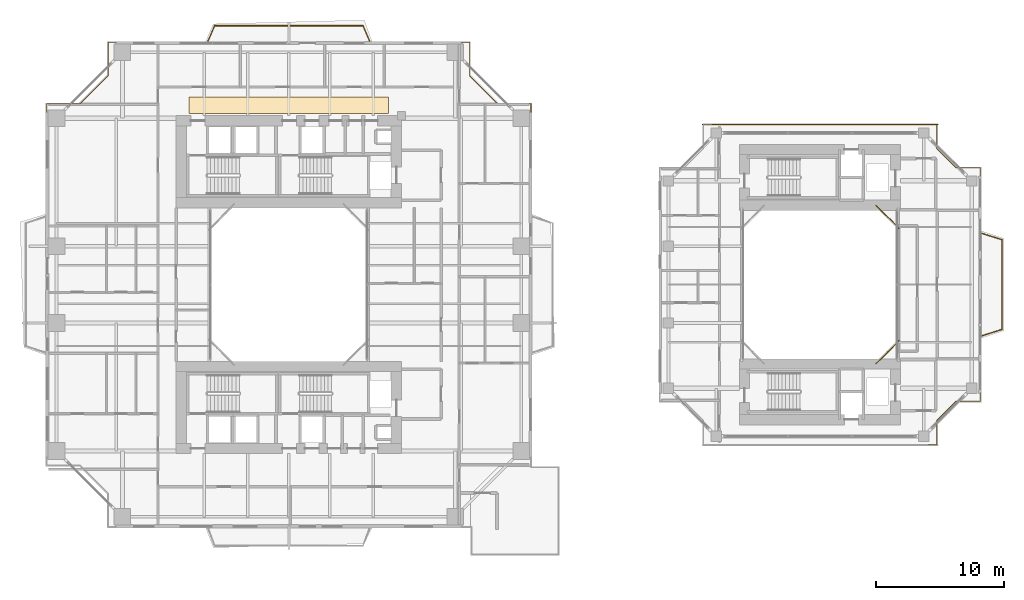
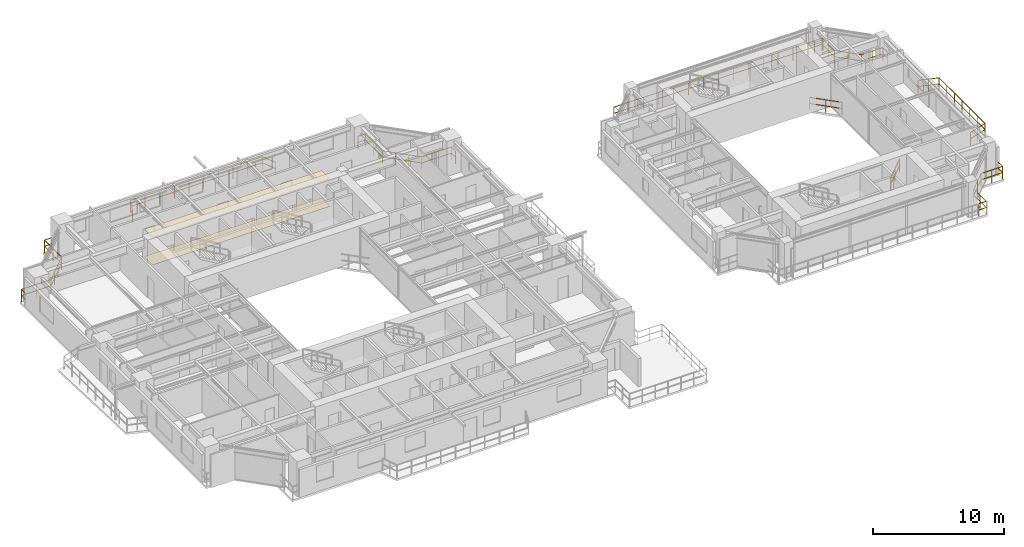
# One storey, part 23 of 23: 9 railings, 2 coverings.
"""IFC4 building model written with IfcOpenShell, lengths in metres."""

from ifc_helpers import new_model, si_unit, direction, frame, origin, origin_2d, place, context, subcontext, project, spatial, polyline, rectangle, outline, extrude, material, layer, layer_set, type_object, element, save


model = new_model("IFC4")

# Units and contexts
model_context = context("Model", 3, precision=1e-05, world=origin(), true_north=direction((0.0, 1.0)))
body_context = subcontext(model_context, "Body", "Model", "MODEL_VIEW")
ifc_project = project(units=[si_unit("LENGTHUNIT", "METRE"), si_unit("AREAUNIT", "SQUARE_METRE"), si_unit("VOLUMEUNIT", "CUBIC_METRE"), si_unit("PLANEANGLEUNIT", "RADIAN"), si_unit("MASSUNIT", "GRAM", prefix="KILO"), si_unit("THERMODYNAMICTEMPERATUREUNIT", "KELVIN"), si_unit("POWERUNIT", "WATT")], contexts=[model_context])

# Site, building, storey
site_placement = place(None, origin())
site = spatial("IfcSite", under=ifc_project, at=site_placement, CompositionType="ELEMENT")
building_placement = place(site_placement, origin())
building = spatial("IfcBuilding", under=site, at=building_placement, Name="Qiaomeng Ring Towers", CompositionType="ELEMENT")
storey_placement = place(building_placement, frame((0.0, 0.0, 73.0)))
storey = spatial("IfcBuildingStorey", under=building, at=storey_placement, Name="L20", CompositionType="ELEMENT", Elevation=73.0)

# Coverings
ifc_material_1 = material(Name="Mineral fibre acoustic ceiling tile", Category="gypsum")
ifc_layer_1 = layer(ifc_material_1, 0.02490234375, Name="Mineral fibre acoustic ceiling tile")
ifc_layer_set_1 = layer_set([ifc_layer_1], Name="Mineral fibre acoustic ceiling tile")
covering_type_1 = type_object("IfcCoveringType", Name="ARC-COV-CEIL1", PredefinedType="CEILING", material=ifc_layer_set_1)
covering_1_placement = place(storey_placement, frame((0.0, 0.0, 2.550048828125)))
element("IfcCovering", 1, at=covering_1_placement, inside=storey, type_object=covering_type_1, Name="L20 Corridor Acoustic Ceiling", PredefinedType="CEILING", context=body_context, shape_type="SweptSolid", body=[
    extrude(outline(polyline([(11.199951171875, 36.35009765625), (11.199951171875, 37.64990234375), (26.800048828125, 37.64990234375), (26.800048828125, 36.35009765625), (11.199951171875, 36.35009765625)])), origin(), (0.0, 0.0, 1.0), 0.02490234375),
])
ifc_material_2 = material(Name="Vitrified porcelain floor tile", Category="ceramic")
ifc_layer_2 = layer(ifc_material_2, 0.02001953125, Name="Vitrified porcelain floor tile")
ifc_layer_set_2 = layer_set([ifc_layer_2], Name="Vitrified porcelain floor tile")
covering_type_2 = type_object("IfcCoveringType", Name="ARC-COV-FLR1", PredefinedType="FLOORING", material=ifc_layer_set_2)
covering_2_placement = place(storey_placement, origin())
element("IfcCovering", 2, at=covering_2_placement, inside=storey, type_object=covering_type_2, Name="L20 Corridor Stone Flooring", PredefinedType="FLOORING", context=body_context, shape_type="SweptSolid", body=[
    extrude(outline(polyline([(11.199951171875, 36.35009765625), (11.199951171875, 37.64990234375), (26.800048828125, 37.64990234375), (26.800048828125, 36.35009765625), (11.199951171875, 36.35009765625)])), origin(), (0.0, 0.0, 1.0), 0.02001953125),
])

# Railings
ifc_material_3 = material(Name="Low-E pale-green laminated safety glass", Category="glass")
railing_type = type_object("IfcRailingType", Name="ARC-RL-BAL1", PredefinedType="BALUSTRADE", material=ifc_material_3)
railing_1_placement = place(storey_placement, frame((37.919921875, 36.469970703125, 0.0)))
element("IfcRailing", 3, at=railing_1_placement, inside=storey, type_object=railing_type, Name="L20 Balustrade ARC-BAL-NOTCH1-L20-NE", PredefinedType="BALUSTRADE", context=body_context, shape_type="SweptSolid", body=[
    extrude(rectangle(XDim=0.048095703125, YDim=0.048095703125, at=origin_2d()), frame((0.0, 0.0, 1.17578125), z_axis=(0.0, 1.0, 0.0), x_axis=(-1.0, 0.0, 0.0)), (0.0, 0.0, 1.0), 0.650146484375),
    extrude(rectangle(XDim=0.048095703125, YDim=0.048095703125, at=origin_2d()), frame((0.0, 0.0, 0.60009765625), z_axis=(0.0, 1.0, 0.0), x_axis=(-1.0, 0.0, 0.0)), (0.0, 0.0, 1.0), 0.650146484375),
    extrude(rectangle(XDim=0.048095703125, YDim=0.048095703125, at=origin_2d()), frame((0.0, 0.650146484375, 1.17578125), z_axis=(-1.0, 0.0, 0.0), x_axis=(0.0, -1.0, 0.0)), (0.0, 0.0, 1.0), 2.599853515625),
    extrude(rectangle(XDim=0.048095703125, YDim=0.048095703125, at=origin_2d()), frame((0.0, 0.650146484375, 0.60009765625), z_axis=(-1.0, 0.0, 0.0), x_axis=(0.0, -1.0, 0.0)), (0.0, 0.0, 1.0), 2.599853515625),
    extrude(rectangle(XDim=0.048095703125, YDim=0.048095703125, at=origin_2d()), frame((-2.599853515625, 0.650146484375, 1.17578125), z_axis=(-0.707106781187, 0.707106781187, 0.0), x_axis=(-0.707106781187, -0.707106781187, 0.0)), (0.0, 0.0, 1.0), 3.111083984375),
    extrude(rectangle(XDim=0.048095703125, YDim=0.048095703125, at=origin_2d()), frame((-2.599853515625, 0.650146484375, 0.60009765625), z_axis=(-0.707106781187, 0.707106781187, 0.0), x_axis=(-0.707106781187, -0.707106781187, 0.0)), (0.0, 0.0, 1.0), 3.111083984375),
    extrude(rectangle(XDim=0.048095703125, YDim=0.048095703125, at=origin_2d()), frame((-4.7998046875, 2.85009765625, 1.17578125), z_axis=(0.0, 1.0, 0.0), x_axis=(-1.0, 0.0, 0.0)), (0.0, 0.0, 1.0), 2.599853515625),
    extrude(rectangle(XDim=0.048095703125, YDim=0.048095703125, at=origin_2d()), frame((-4.7998046875, 2.85009765625, 0.60009765625), z_axis=(0.0, 1.0, 0.0), x_axis=(-1.0, 0.0, 0.0)), (0.0, 0.0, 1.0), 2.599853515625),
    extrude(rectangle(XDim=0.048095703125, YDim=0.048095703125, at=origin_2d()), frame((-4.7998046875, 5.449951171875, 1.17578125), z_axis=(-1.0, 0.0, 0.0), x_axis=(0.0, -1.0, 0.0)), (0.0, 0.0, 1.0), 0.650146484375),
    extrude(rectangle(XDim=0.048095703125, YDim=0.048095703125, at=origin_2d()), frame((-4.7998046875, 5.449951171875, 0.60009765625), z_axis=(-1.0, 0.0, 0.0), x_axis=(0.0, -1.0, 0.0)), (0.0, 0.0, 1.0), 0.650146484375),
    extrude(rectangle(XDim=0.0419921875, YDim=0.0419921875, at=origin_2d()), origin(), (0.0, 0.0, 1.0), 1.15185546875),
    extrude(rectangle(XDim=0.0419921875, YDim=0.0419921875, at=origin_2d()), frame((0.0, 0.650146484375, 0.0)), (0.0, 0.0, 1.0), 1.15185546875),
    extrude(rectangle(XDim=0.0419921875, YDim=0.0419921875, at=origin_2d()), frame((-1.2998046875, 0.650146484375, 0.0)), (0.0, 0.0, 1.0), 1.15185546875),
    extrude(rectangle(XDim=0.0419921875, YDim=0.0419921875, at=origin_2d()), frame((-2.599853515625, 0.650146484375, 0.0)), (0.0, 0.0, 1.0), 1.15185546875),
    extrude(rectangle(XDim=0.0419921875, YDim=0.0419921875, at=origin_2d()), frame((-3.333251953125, 1.383544921875, 0.0)), (0.0, 0.0, 1.0), 1.15185546875),
    extrude(rectangle(XDim=0.0419921875, YDim=0.0419921875, at=origin_2d()), frame((-4.06640625, 2.11669921875, 0.0)), (0.0, 0.0, 1.0), 1.15185546875),
    extrude(rectangle(XDim=0.0419921875, YDim=0.0419921875, at=origin_2d()), frame((-4.7998046875, 2.85009765625, 0.0)), (0.0, 0.0, 1.0), 1.15185546875),
    extrude(rectangle(XDim=0.0419921875, YDim=0.0419921875, at=origin_2d()), frame((-4.7998046875, 4.14990234375, 0.0)), (0.0, 0.0, 1.0), 1.15185546875),
    extrude(rectangle(XDim=0.0419921875, YDim=0.0419921875, at=origin_2d()), frame((-4.7998046875, 5.449951171875, 0.0)), (0.0, 0.0, 1.0), 1.15185546875),
    extrude(rectangle(XDim=0.0419921875, YDim=0.0419921875, at=origin_2d()), frame((-5.449951171875, 5.449951171875, 0.0)), (0.0, 0.0, 1.0), 1.15185546875),
])
railing_2_placement = place(storey_placement, frame((5.530029296875, 41.919921875, 0.0)))
element("IfcRailing", 4, at=railing_2_placement, inside=storey, type_object=railing_type, Name="L20 Balustrade ARC-BAL-NOTCH1-L20-NW", PredefinedType="BALUSTRADE", context=body_context, shape_type="SweptSolid", body=[
    extrude(rectangle(XDim=0.048095703125, YDim=0.048095703125, at=origin_2d()), frame((0.0, 0.0, 1.17578125), z_axis=(-1.0, 0.0, 0.0), x_axis=(0.0, -1.0, 0.0)), (0.0, 0.0, 1.0), 0.650146484375),
    extrude(rectangle(XDim=0.048095703125, YDim=0.048095703125, at=origin_2d()), frame((0.0, 0.0, 0.60009765625), z_axis=(-1.0, 0.0, 0.0), x_axis=(0.0, -1.0, 0.0)), (0.0, 0.0, 1.0), 0.650146484375),
    extrude(rectangle(XDim=0.048095703125, YDim=0.048095703125, at=origin_2d()), frame((-0.650146484375, 0.0, 1.17578125), z_axis=(0.0, -1.0, 0.0), x_axis=(1.0, 0.0, 0.0)), (0.0, 0.0, 1.0), 2.599853515625),
    extrude(rectangle(XDim=0.048095703125, YDim=0.048095703125, at=origin_2d()), frame((-0.650146484375, 0.0, 0.60009765625), z_axis=(0.0, -1.0, 0.0), x_axis=(1.0, 0.0, 0.0)), (0.0, 0.0, 1.0), 2.599853515625),
    extrude(rectangle(XDim=0.048095703125, YDim=0.048095703125, at=origin_2d()), frame((-0.650146484375, -2.599853515625, 1.17578125), z_axis=(-0.707106781187, -0.707106781187, 0.0), x_axis=(0.707106781187, -0.707106781187, 0.0)), (0.0, 0.0, 1.0), 3.111083984375),
    extrude(rectangle(XDim=0.048095703125, YDim=0.048095703125, at=origin_2d()), frame((-0.650146484375, -2.599853515625, 0.60009765625), z_axis=(-0.707106781187, -0.707106781187, 0.0), x_axis=(0.707106781187, -0.707106781187, 0.0)), (0.0, 0.0, 1.0), 3.111083984375),
    extrude(rectangle(XDim=0.048095703125, YDim=0.048095703125, at=origin_2d()), frame((-2.85009765625, -4.7998046875, 1.17578125), z_axis=(-1.0, 0.0, 0.0), x_axis=(0.0, -1.0, 0.0)), (0.0, 0.0, 1.0), 2.599853515625),
    extrude(rectangle(XDim=0.048095703125, YDim=0.048095703125, at=origin_2d()), frame((-2.85009765625, -4.7998046875, 0.60009765625), z_axis=(-1.0, 0.0, 0.0), x_axis=(0.0, -1.0, 0.0)), (0.0, 0.0, 1.0), 2.599853515625),
    extrude(rectangle(XDim=0.048095703125, YDim=0.048095703125, at=origin_2d()), frame((-5.449951171875, -4.7998046875, 1.17578125), z_axis=(0.0, -1.0, 0.0), x_axis=(1.0, 0.0, 0.0)), (0.0, 0.0, 1.0), 0.650146484375),
    extrude(rectangle(XDim=0.048095703125, YDim=0.048095703125, at=origin_2d()), frame((-5.449951171875, -4.7998046875, 0.60009765625), z_axis=(0.0, -1.0, 0.0), x_axis=(1.0, 0.0, 0.0)), (0.0, 0.0, 1.0), 0.650146484375),
    extrude(rectangle(XDim=0.0419921875, YDim=0.0419921875, at=origin_2d()), origin(), (0.0, 0.0, 1.0), 1.15185546875),
    extrude(rectangle(XDim=0.0419921875, YDim=0.0419921875, at=origin_2d()), frame((-0.650146484375, 0.0, 0.0)), (0.0, 0.0, 1.0), 1.15185546875),
    extrude(rectangle(XDim=0.0419921875, YDim=0.0419921875, at=origin_2d()), frame((-0.650146484375, -1.2998046875, 0.0)), (0.0, 0.0, 1.0), 1.15185546875),
    extrude(rectangle(XDim=0.0419921875, YDim=0.0419921875, at=origin_2d()), frame((-0.650146484375, -2.599853515625, 0.0)), (0.0, 0.0, 1.0), 1.15185546875),
    extrude(rectangle(XDim=0.0419921875, YDim=0.0419921875, at=origin_2d()), frame((-1.383544921875, -3.333251953125, 0.0)), (0.0, 0.0, 1.0), 1.15185546875),
    extrude(rectangle(XDim=0.0419921875, YDim=0.0419921875, at=origin_2d()), frame((-2.11669921875, -4.06640625, 0.0)), (0.0, 0.0, 1.0), 1.15185546875),
    extrude(rectangle(XDim=0.0419921875, YDim=0.0419921875, at=origin_2d()), frame((-2.85009765625, -4.7998046875, 0.0)), (0.0, 0.0, 1.0), 1.15185546875),
    extrude(rectangle(XDim=0.0419921875, YDim=0.0419921875, at=origin_2d()), frame((-4.14990234375, -4.7998046875, 0.0)), (0.0, 0.0, 1.0), 1.15185546875),
    extrude(rectangle(XDim=0.0419921875, YDim=0.0419921875, at=origin_2d()), frame((-5.449951171875, -4.7998046875, 0.0)), (0.0, 0.0, 1.0), 1.15185546875),
    extrude(rectangle(XDim=0.0419921875, YDim=0.0419921875, at=origin_2d()), frame((-5.449951171875, -5.449951171875, 0.0)), (0.0, 0.0, 1.0), 1.15185546875),
])
railing_3_placement = place(storey_placement, frame((12.699951171875, 42.050048828125, 0.0)))
element("IfcRailing", 5, at=railing_3_placement, inside=storey, type_object=railing_type, Name="L20 Balustrade ARC-BAL-L20-T1-N", PredefinedType="BALUSTRADE", context=body_context, shape_type="SweptSolid", body=[
    extrude(rectangle(XDim=0.048095703125, YDim=0.048095703125, at=origin_2d()), frame((0.0, 0.0, 1.17578125), z_axis=(0.39299272826, 0.919541579014, 0.0), x_axis=(-0.919541579014, 0.39299272826, 0.0)), (0.0, 0.0, 1.0), 1.272216796875),
    extrude(rectangle(XDim=0.048095703125, YDim=0.048095703125, at=origin_2d()), frame((0.0, 0.0, 0.60009765625), z_axis=(0.39299272826, 0.919541579014, 0.0), x_axis=(-0.919541579014, 0.39299272826, 0.0)), (0.0, 0.0, 1.0), 1.272216796875),
    extrude(rectangle(XDim=0.048095703125, YDim=0.048095703125, at=origin_2d()), frame((0.5, 1.169921875, 1.17578125), z_axis=(1.0, 0.0, 0.0), x_axis=(0.0, 1.0, 0.0)), (0.0, 0.0, 1.0), 11.60009765625),
    extrude(rectangle(XDim=0.048095703125, YDim=0.048095703125, at=origin_2d()), frame((0.5, 1.169921875, 0.60009765625), z_axis=(1.0, 0.0, 0.0), x_axis=(0.0, 1.0, 0.0)), (0.0, 0.0, 1.0), 11.60009765625),
    extrude(rectangle(XDim=0.048095703125, YDim=0.048095703125, at=origin_2d()), frame((12.10009765625, 1.169921875, 1.17578125), z_axis=(0.39299272826, -0.919541579014, 0.0), x_axis=(0.919541579014, 0.39299272826, 0.0)), (0.0, 0.0, 1.0), 1.272216796875),
    extrude(rectangle(XDim=0.048095703125, YDim=0.048095703125, at=origin_2d()), frame((12.10009765625, 1.169921875, 0.60009765625), z_axis=(0.39299272826, -0.919541579014, 0.0), x_axis=(0.919541579014, 0.39299272826, 0.0)), (0.0, 0.0, 1.0), 1.272216796875),
    extrude(rectangle(XDim=0.0419921875, YDim=0.0419921875, at=origin_2d()), origin(), (0.0, 0.0, 1.0), 1.15185546875),
    extrude(rectangle(XDim=0.0419921875, YDim=0.0419921875, at=origin_2d()), frame((0.5, 1.169921875, 0.0)), (0.0, 0.0, 1.0), 1.15185546875),
    extrude(rectangle(XDim=0.0419921875, YDim=0.0419921875, at=origin_2d()), frame((1.788818359375, 1.169921875, 0.0)), (0.0, 0.0, 1.0), 1.15185546875),
    extrude(rectangle(XDim=0.0419921875, YDim=0.0419921875, at=origin_2d()), frame((3.077880859375, 1.169921875, 0.0)), (0.0, 0.0, 1.0), 1.15185546875),
    extrude(rectangle(XDim=0.0419921875, YDim=0.0419921875, at=origin_2d()), frame((4.36669921875, 1.169921875, 0.0)), (0.0, 0.0, 1.0), 1.15185546875),
    extrude(rectangle(XDim=0.0419921875, YDim=0.0419921875, at=origin_2d()), frame((5.655517578125, 1.169921875, 0.0)), (0.0, 0.0, 1.0), 1.15185546875),
    extrude(rectangle(XDim=0.0419921875, YDim=0.0419921875, at=origin_2d()), frame((6.944580078125, 1.169921875, 0.0)), (0.0, 0.0, 1.0), 1.15185546875),
    extrude(rectangle(XDim=0.0419921875, YDim=0.0419921875, at=origin_2d()), frame((8.2333984375, 1.169921875, 0.0)), (0.0, 0.0, 1.0), 1.15185546875),
    extrude(rectangle(XDim=0.0419921875, YDim=0.0419921875, at=origin_2d()), frame((9.522216796875, 1.169921875, 0.0)), (0.0, 0.0, 1.0), 1.15185546875),
    extrude(rectangle(XDim=0.0419921875, YDim=0.0419921875, at=origin_2d()), frame((10.811279296875, 1.169921875, 0.0)), (0.0, 0.0, 1.0), 1.15185546875),
    extrude(rectangle(XDim=0.0419921875, YDim=0.0419921875, at=origin_2d()), frame((12.10009765625, 1.169921875, 0.0)), (0.0, 0.0, 1.0), 1.15185546875),
    extrude(rectangle(XDim=0.0419921875, YDim=0.0419921875, at=origin_2d()), frame((12.60009765625, 0.0, 0.0)), (0.0, 0.0, 1.0), 1.15185546875),
])
railing_4_placement = place(storey_placement, frame((64.8798828125, 16.820068359375, 0.0)))
element("IfcRailing", 6, at=railing_4_placement, inside=storey, type_object=railing_type, Name="L20 Balustrade ARC-BAL-WELL2-L20-1", PredefinedType="BALUSTRADE", context=body_context, shape_type="SweptSolid", body=[
    extrude(rectangle(XDim=0.048095703125, YDim=0.048095703125, at=origin_2d()), frame((0.0, 0.0, 1.17578125), z_axis=(0.707106781187, 0.707106781187, 0.0), x_axis=(-0.707106781187, 0.707106781187, 0.0)), (0.0, 0.0, 1.0), 2.545654296875),
    extrude(rectangle(XDim=0.048095703125, YDim=0.048095703125, at=origin_2d()), frame((0.0, 0.0, 0.60009765625), z_axis=(0.707106781187, 0.707106781187, 0.0), x_axis=(-0.707106781187, 0.707106781187, 0.0)), (0.0, 0.0, 1.0), 2.545654296875),
    extrude(rectangle(XDim=0.0419921875, YDim=0.0419921875, at=origin_2d()), origin(), (0.0, 0.0, 1.0), 1.15185546875),
    extrude(rectangle(XDim=0.0419921875, YDim=0.0419921875, at=origin_2d()), frame((0.89990234375, 0.89990234375, 0.0)), (0.0, 0.0, 1.0), 1.15185546875),
    extrude(rectangle(XDim=0.0419921875, YDim=0.0419921875, at=origin_2d()), frame((1.800048828125, 1.800048828125, 0.0)), (0.0, 0.0, 1.0), 1.15185546875),
])
railing_5_placement = place(storey_placement, frame((66.679931640625, 27.3798828125, 0.0)))
element("IfcRailing", 7, at=railing_5_placement, inside=storey, type_object=railing_type, Name="L20 Balustrade ARC-BAL-WELL2-L20-2", PredefinedType="BALUSTRADE", context=body_context, shape_type="SweptSolid", body=[
    extrude(rectangle(XDim=0.048095703125, YDim=0.048095703125, at=origin_2d()), frame((0.0, 0.0, 1.17578125), z_axis=(-0.707106781187, 0.707106781187, 0.0), x_axis=(-0.707106781187, -0.707106781187, 0.0)), (0.0, 0.0, 1.0), 2.545654296875),
    extrude(rectangle(XDim=0.048095703125, YDim=0.048095703125, at=origin_2d()), frame((0.0, 0.0, 0.60009765625), z_axis=(-0.707106781187, 0.707106781187, 0.0), x_axis=(-0.707106781187, -0.707106781187, 0.0)), (0.0, 0.0, 1.0), 2.545654296875),
    extrude(rectangle(XDim=0.0419921875, YDim=0.0419921875, at=origin_2d()), origin(), (0.0, 0.0, 1.0), 1.15185546875),
    extrude(rectangle(XDim=0.0419921875, YDim=0.0419921875, at=origin_2d()), frame((-0.89990234375, 0.89990234375, 0.0)), (0.0, 0.0, 1.0), 1.15185546875),
    extrude(rectangle(XDim=0.0419921875, YDim=0.0419921875, at=origin_2d()), frame((-1.800048828125, 1.800048828125, 0.0)), (0.0, 0.0, 1.0), 1.15185546875),
])
railing_6_placement = place(storey_placement, frame((68.969970703125, 10.47998046875, 0.0)))
element("IfcRailing", 8, at=railing_6_placement, inside=storey, type_object=railing_type, Name="L20 Balustrade ARC-BAL-NOTCH2-L20-SE", PredefinedType="BALUSTRADE", context=body_context, shape_type="SweptSolid", body=[
    extrude(rectangle(XDim=0.048095703125, YDim=0.048095703125, at=origin_2d()), frame((0.0, 0.0, 1.17578125), z_axis=(1.0, 0.0, 0.0), x_axis=(0.0, 1.0, 0.0)), (0.0, 0.0, 1.0), 0.650146484375),
    extrude(rectangle(XDim=0.048095703125, YDim=0.048095703125, at=origin_2d()), frame((0.0, 0.0, 0.60009765625), z_axis=(1.0, 0.0, 0.0), x_axis=(0.0, 1.0, 0.0)), (0.0, 0.0, 1.0), 0.650146484375),
    extrude(rectangle(XDim=0.048095703125, YDim=0.048095703125, at=origin_2d()), frame((0.650146484375, 0.0, 1.17578125), z_axis=(0.0, 1.0, 0.0), x_axis=(-1.0, 0.0, 0.0)), (0.0, 0.0, 1.0), 1.89990234375),
    extrude(rectangle(XDim=0.048095703125, YDim=0.048095703125, at=origin_2d()), frame((0.650146484375, 0.0, 0.60009765625), z_axis=(0.0, 1.0, 0.0), x_axis=(-1.0, 0.0, 0.0)), (0.0, 0.0, 1.0), 1.89990234375),
    extrude(rectangle(XDim=0.048095703125, YDim=0.048095703125, at=origin_2d()), frame((0.650146484375, 1.89990234375, 1.17578125), z_axis=(0.707106781187, 0.707106781187, 0.0), x_axis=(-0.707106781187, 0.707106781187, 0.0)), (0.0, 0.0, 1.0), 2.121337890625),
    extrude(rectangle(XDim=0.048095703125, YDim=0.048095703125, at=origin_2d()), frame((0.650146484375, 1.89990234375, 0.60009765625), z_axis=(0.707106781187, 0.707106781187, 0.0), x_axis=(-0.707106781187, 0.707106781187, 0.0)), (0.0, 0.0, 1.0), 2.121337890625),
    extrude(rectangle(XDim=0.048095703125, YDim=0.048095703125, at=origin_2d()), frame((2.150146484375, 3.39990234375, 1.17578125), z_axis=(1.0, 0.0, 0.0), x_axis=(0.0, 1.0, 0.0)), (0.0, 0.0, 1.0), 1.89990234375),
    extrude(rectangle(XDim=0.048095703125, YDim=0.048095703125, at=origin_2d()), frame((2.150146484375, 3.39990234375, 0.60009765625), z_axis=(1.0, 0.0, 0.0), x_axis=(0.0, 1.0, 0.0)), (0.0, 0.0, 1.0), 1.89990234375),
    extrude(rectangle(XDim=0.048095703125, YDim=0.048095703125, at=origin_2d()), frame((4.050048828125, 3.39990234375, 1.17578125), z_axis=(0.0, 1.0, 0.0), x_axis=(-1.0, 0.0, 0.0)), (0.0, 0.0, 1.0), 0.650146484375),
    extrude(rectangle(XDim=0.048095703125, YDim=0.048095703125, at=origin_2d()), frame((4.050048828125, 3.39990234375, 0.60009765625), z_axis=(0.0, 1.0, 0.0), x_axis=(-1.0, 0.0, 0.0)), (0.0, 0.0, 1.0), 0.650146484375),
    extrude(rectangle(XDim=0.0419921875, YDim=0.0419921875, at=origin_2d()), origin(), (0.0, 0.0, 1.0), 1.15185546875),
    extrude(rectangle(XDim=0.0419921875, YDim=0.0419921875, at=origin_2d()), frame((0.650146484375, 0.0, 0.0)), (0.0, 0.0, 1.0), 1.15185546875),
    extrude(rectangle(XDim=0.0419921875, YDim=0.0419921875, at=origin_2d()), frame((0.650146484375, 0.949951171875, 0.0)), (0.0, 0.0, 1.0), 1.15185546875),
    extrude(rectangle(XDim=0.0419921875, YDim=0.0419921875, at=origin_2d()), frame((0.650146484375, 1.89990234375, 0.0)), (0.0, 0.0, 1.0), 1.15185546875),
    extrude(rectangle(XDim=0.0419921875, YDim=0.0419921875, at=origin_2d()), frame((1.400146484375, 2.64990234375, 0.0)), (0.0, 0.0, 1.0), 1.15185546875),
    extrude(rectangle(XDim=0.0419921875, YDim=0.0419921875, at=origin_2d()), frame((2.150146484375, 3.39990234375, 0.0)), (0.0, 0.0, 1.0), 1.15185546875),
    extrude(rectangle(XDim=0.0419921875, YDim=0.0419921875, at=origin_2d()), frame((3.10009765625, 3.39990234375, 0.0)), (0.0, 0.0, 1.0), 1.15185546875),
    extrude(rectangle(XDim=0.0419921875, YDim=0.0419921875, at=origin_2d()), frame((4.050048828125, 3.39990234375, 0.0)), (0.0, 0.0, 1.0), 1.15185546875),
    extrude(rectangle(XDim=0.0419921875, YDim=0.0419921875, at=origin_2d()), frame((4.050048828125, 4.050048828125, 0.0)), (0.0, 0.0, 1.0), 1.15185546875),
])
railing_7_placement = place(storey_placement, frame((73.02001953125, 31.469970703125, 0.0)))
element("IfcRailing", 9, at=railing_7_placement, inside=storey, type_object=railing_type, Name="L20 Balustrade ARC-BAL-NOTCH2-L20-NE", PredefinedType="BALUSTRADE", context=body_context, shape_type="SweptSolid", body=[
    extrude(rectangle(XDim=0.048095703125, YDim=0.048095703125, at=origin_2d()), frame((0.0, 0.0, 1.17578125), z_axis=(0.0, 1.0, 0.0), x_axis=(-1.0, 0.0, 0.0)), (0.0, 0.0, 1.0), 0.650146484375),
    extrude(rectangle(XDim=0.048095703125, YDim=0.048095703125, at=origin_2d()), frame((0.0, 0.0, 0.60009765625), z_axis=(0.0, 1.0, 0.0), x_axis=(-1.0, 0.0, 0.0)), (0.0, 0.0, 1.0), 0.650146484375),
    extrude(rectangle(XDim=0.048095703125, YDim=0.048095703125, at=origin_2d()), frame((0.0, 0.650146484375, 1.17578125), z_axis=(-1.0, 0.0, 0.0), x_axis=(0.0, -1.0, 0.0)), (0.0, 0.0, 1.0), 1.89990234375),
    extrude(rectangle(XDim=0.048095703125, YDim=0.048095703125, at=origin_2d()), frame((0.0, 0.650146484375, 0.60009765625), z_axis=(-1.0, 0.0, 0.0), x_axis=(0.0, -1.0, 0.0)), (0.0, 0.0, 1.0), 1.89990234375),
    extrude(rectangle(XDim=0.048095703125, YDim=0.048095703125, at=origin_2d()), frame((-1.89990234375, 0.650146484375, 1.17578125), z_axis=(-0.707106781187, 0.707106781187, 0.0), x_axis=(-0.707106781187, -0.707106781187, 0.0)), (0.0, 0.0, 1.0), 2.121337890625),
    extrude(rectangle(XDim=0.048095703125, YDim=0.048095703125, at=origin_2d()), frame((-1.89990234375, 0.650146484375, 0.60009765625), z_axis=(-0.707106781187, 0.707106781187, 0.0), x_axis=(-0.707106781187, -0.707106781187, 0.0)), (0.0, 0.0, 1.0), 2.121337890625),
    extrude(rectangle(XDim=0.048095703125, YDim=0.048095703125, at=origin_2d()), frame((-3.39990234375, 2.150146484375, 1.17578125), z_axis=(0.0, 1.0, 0.0), x_axis=(-1.0, 0.0, 0.0)), (0.0, 0.0, 1.0), 1.89990234375),
    extrude(rectangle(XDim=0.048095703125, YDim=0.048095703125, at=origin_2d()), frame((-3.39990234375, 2.150146484375, 0.60009765625), z_axis=(0.0, 1.0, 0.0), x_axis=(-1.0, 0.0, 0.0)), (0.0, 0.0, 1.0), 1.89990234375),
    extrude(rectangle(XDim=0.048095703125, YDim=0.048095703125, at=origin_2d()), frame((-3.39990234375, 4.050048828125, 1.17578125), z_axis=(-1.0, 0.0, 0.0), x_axis=(0.0, -1.0, 0.0)), (0.0, 0.0, 1.0), 0.650146484375),
    extrude(rectangle(XDim=0.048095703125, YDim=0.048095703125, at=origin_2d()), frame((-3.39990234375, 4.050048828125, 0.60009765625), z_axis=(-1.0, 0.0, 0.0), x_axis=(0.0, -1.0, 0.0)), (0.0, 0.0, 1.0), 0.650146484375),
    extrude(rectangle(XDim=0.0419921875, YDim=0.0419921875, at=origin_2d()), origin(), (0.0, 0.0, 1.0), 1.15185546875),
    extrude(rectangle(XDim=0.0419921875, YDim=0.0419921875, at=origin_2d()), frame((0.0, 0.650146484375, 0.0)), (0.0, 0.0, 1.0), 1.15185546875),
    extrude(rectangle(XDim=0.0419921875, YDim=0.0419921875, at=origin_2d()), frame((-0.949951171875, 0.650146484375, 0.0)), (0.0, 0.0, 1.0), 1.15185546875),
    extrude(rectangle(XDim=0.0419921875, YDim=0.0419921875, at=origin_2d()), frame((-1.89990234375, 0.650146484375, 0.0)), (0.0, 0.0, 1.0), 1.15185546875),
    extrude(rectangle(XDim=0.0419921875, YDim=0.0419921875, at=origin_2d()), frame((-2.64990234375, 1.400146484375, 0.0)), (0.0, 0.0, 1.0), 1.15185546875),
    extrude(rectangle(XDim=0.0419921875, YDim=0.0419921875, at=origin_2d()), frame((-3.39990234375, 2.150146484375, 0.0)), (0.0, 0.0, 1.0), 1.15185546875),
    extrude(rectangle(XDim=0.0419921875, YDim=0.0419921875, at=origin_2d()), frame((-3.39990234375, 3.10009765625, 0.0)), (0.0, 0.0, 1.0), 1.15185546875),
    extrude(rectangle(XDim=0.0419921875, YDim=0.0419921875, at=origin_2d()), frame((-3.39990234375, 4.050048828125, 0.0)), (0.0, 0.0, 1.0), 1.15185546875),
    extrude(rectangle(XDim=0.0419921875, YDim=0.0419921875, at=origin_2d()), frame((-4.050048828125, 4.050048828125, 0.0)), (0.0, 0.0, 1.0), 1.15185546875),
])
railing_8_placement = place(storey_placement, frame((51.300048828125, 35.52001953125, 0.0)))
element("IfcRailing", 10, at=railing_8_placement, inside=storey, type_object=railing_type, Name="L20 Balustrade ARC-BAL-T2N-L20", PredefinedType="BALUSTRADE", context=body_context, shape_type="SweptSolid", body=[
    extrude(rectangle(XDim=0.048095703125, YDim=0.048095703125, at=origin_2d()), frame((0.0, 0.0, 1.17578125), z_axis=(1.0, 0.0, 0.0), x_axis=(0.0, 1.0, 0.0)), (0.0, 0.0, 1.0), 18.39990234375),
    extrude(rectangle(XDim=0.048095703125, YDim=0.048095703125, at=origin_2d()), frame((0.0, 0.0, 0.60009765625), z_axis=(1.0, 0.0, 0.0), x_axis=(0.0, 1.0, 0.0)), (0.0, 0.0, 1.0), 18.39990234375),
    extrude(rectangle(XDim=0.0419921875, YDim=0.0419921875, at=origin_2d()), origin(), (0.0, 0.0, 1.0), 1.15185546875),
    extrude(rectangle(XDim=0.0419921875, YDim=0.0419921875, at=origin_2d()), frame((1.314208984375, 0.0, 0.0)), (0.0, 0.0, 1.0), 1.15185546875),
    extrude(rectangle(XDim=0.0419921875, YDim=0.0419921875, at=origin_2d()), frame((2.628662109375, 0.0, 0.0)), (0.0, 0.0, 1.0), 1.15185546875),
    extrude(rectangle(XDim=0.0419921875, YDim=0.0419921875, at=origin_2d()), frame((3.94287109375, 0.0, 0.0)), (0.0, 0.0, 1.0), 1.15185546875),
    extrude(rectangle(XDim=0.0419921875, YDim=0.0419921875, at=origin_2d()), frame((5.257080078125, 0.0, 0.0)), (0.0, 0.0, 1.0), 1.15185546875),
    extrude(rectangle(XDim=0.0419921875, YDim=0.0419921875, at=origin_2d()), frame((6.5712890625, 0.0, 0.0)), (0.0, 0.0, 1.0), 1.15185546875),
    extrude(rectangle(XDim=0.0419921875, YDim=0.0419921875, at=origin_2d()), frame((7.8857421875, 0.0, 0.0)), (0.0, 0.0, 1.0), 1.15185546875),
    extrude(rectangle(XDim=0.0419921875, YDim=0.0419921875, at=origin_2d()), frame((9.199951171875, 0.0, 0.0)), (0.0, 0.0, 1.0), 1.15185546875),
    extrude(rectangle(XDim=0.0419921875, YDim=0.0419921875, at=origin_2d()), frame((10.51416015625, 0.0, 0.0)), (0.0, 0.0, 1.0), 1.15185546875),
    extrude(rectangle(XDim=0.0419921875, YDim=0.0419921875, at=origin_2d()), frame((11.82861328125, 0.0, 0.0)), (0.0, 0.0, 1.0), 1.15185546875),
    extrude(rectangle(XDim=0.0419921875, YDim=0.0419921875, at=origin_2d()), frame((13.142822265625, 0.0, 0.0)), (0.0, 0.0, 1.0), 1.15185546875),
    extrude(rectangle(XDim=0.0419921875, YDim=0.0419921875, at=origin_2d()), frame((14.45703125, 0.0, 0.0)), (0.0, 0.0, 1.0), 1.15185546875),
    extrude(rectangle(XDim=0.0419921875, YDim=0.0419921875, at=origin_2d()), frame((15.771240234375, 0.0, 0.0)), (0.0, 0.0, 1.0), 1.15185546875),
    extrude(rectangle(XDim=0.0419921875, YDim=0.0419921875, at=origin_2d()), frame((17.085693359375, 0.0, 0.0)), (0.0, 0.0, 1.0), 1.15185546875),
    extrude(rectangle(XDim=0.0419921875, YDim=0.0419921875, at=origin_2d()), frame((18.39990234375, 0.0, 0.0)), (0.0, 0.0, 1.0), 1.15185546875),
])
railing_9_placement = place(storey_placement, frame((73.14990234375, 19.0, 0.0)))
element("IfcRailing", 11, at=railing_9_placement, inside=storey, type_object=railing_type, Name="L20 Balustrade ARC-BAL-L20-T2-E", PredefinedType="BALUSTRADE", context=body_context, shape_type="SweptSolid", body=[
    extrude(rectangle(XDim=0.048095703125, YDim=0.048095703125, at=origin_2d()), frame((0.0, 0.0, 1.17578125), z_axis=(0.952849860715, 0.303442157479, 0.0), x_axis=(-0.303442157479, 0.952849860715, 0.0)), (0.0, 0.0, 1.0), 1.647705078125),
    extrude(rectangle(XDim=0.048095703125, YDim=0.048095703125, at=origin_2d()), frame((0.0, 0.0, 0.60009765625), z_axis=(0.952849860715, 0.303442157479, 0.0), x_axis=(-0.303442157479, 0.952849860715, 0.0)), (0.0, 0.0, 1.0), 1.647705078125),
    extrude(rectangle(XDim=0.048095703125, YDim=0.048095703125, at=origin_2d()), frame((1.570068359375, 0.5, 1.17578125), z_axis=(0.0, 1.0, 0.0), x_axis=(-1.0, 0.0, 0.0)), (0.0, 0.0, 1.0), 7.0),
    extrude(rectangle(XDim=0.048095703125, YDim=0.048095703125, at=origin_2d()), frame((1.570068359375, 0.5, 0.60009765625), z_axis=(0.0, 1.0, 0.0), x_axis=(-1.0, 0.0, 0.0)), (0.0, 0.0, 1.0), 7.0),
    extrude(rectangle(XDim=0.048095703125, YDim=0.048095703125, at=origin_2d()), frame((1.570068359375, 7.5, 1.17578125), z_axis=(-0.952849860715, 0.303442157479, 0.0), x_axis=(-0.303442157479, -0.952849860715, 0.0)), (0.0, 0.0, 1.0), 1.647705078125),
    extrude(rectangle(XDim=0.048095703125, YDim=0.048095703125, at=origin_2d()), frame((1.570068359375, 7.5, 0.60009765625), z_axis=(-0.952849860715, 0.303442157479, 0.0), x_axis=(-0.303442157479, -0.952849860715, 0.0)), (0.0, 0.0, 1.0), 1.647705078125),
    extrude(rectangle(XDim=0.0419921875, YDim=0.0419921875, at=origin_2d()), origin(), (0.0, 0.0, 1.0), 1.15185546875),
    extrude(rectangle(XDim=0.0419921875, YDim=0.0419921875, at=origin_2d()), frame((0.78515625, 0.25, 0.0)), (0.0, 0.0, 1.0), 1.15185546875),
    extrude(rectangle(XDim=0.0419921875, YDim=0.0419921875, at=origin_2d()), frame((1.570068359375, 0.5, 0.0)), (0.0, 0.0, 1.0), 1.15185546875),
    extrude(rectangle(XDim=0.0419921875, YDim=0.0419921875, at=origin_2d()), frame((1.570068359375, 1.666748046875, 0.0)), (0.0, 0.0, 1.0), 1.15185546875),
    extrude(rectangle(XDim=0.0419921875, YDim=0.0419921875, at=origin_2d()), frame((1.570068359375, 2.833251953125, 0.0)), (0.0, 0.0, 1.0), 1.15185546875),
    extrude(rectangle(XDim=0.0419921875, YDim=0.0419921875, at=origin_2d()), frame((1.570068359375, 4.0, 0.0)), (0.0, 0.0, 1.0), 1.15185546875),
    extrude(rectangle(XDim=0.0419921875, YDim=0.0419921875, at=origin_2d()), frame((1.570068359375, 5.166748046875, 0.0)), (0.0, 0.0, 1.0), 1.15185546875),
    extrude(rectangle(XDim=0.0419921875, YDim=0.0419921875, at=origin_2d()), frame((1.570068359375, 6.333251953125, 0.0)), (0.0, 0.0, 1.0), 1.15185546875),
    extrude(rectangle(XDim=0.0419921875, YDim=0.0419921875, at=origin_2d()), frame((1.570068359375, 7.5, 0.0)), (0.0, 0.0, 1.0), 1.15185546875),
    extrude(rectangle(XDim=0.0419921875, YDim=0.0419921875, at=origin_2d()), frame((0.78515625, 7.75, 0.0)), (0.0, 0.0, 1.0), 1.15185546875),
    extrude(rectangle(XDim=0.0419921875, YDim=0.0419921875, at=origin_2d()), frame((0.0, 8.0, 0.0)), (0.0, 0.0, 1.0), 1.15185546875),
])

save(model, "model.ifc")
